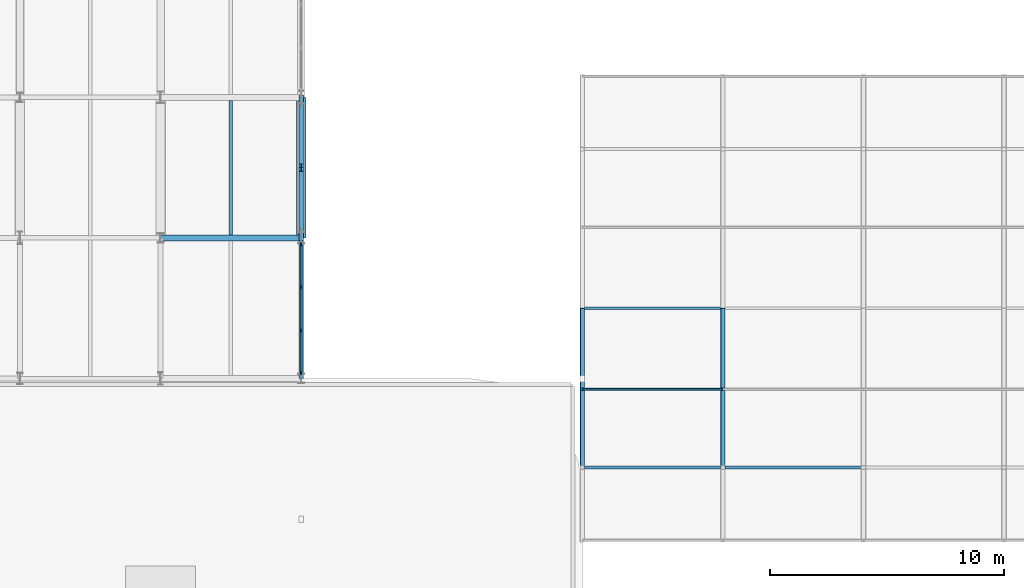
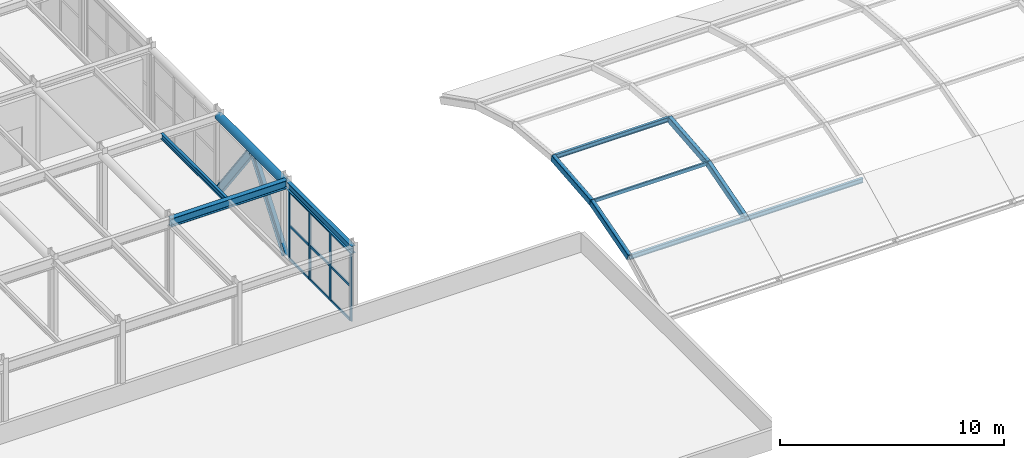
# One storey, part 23 of 84: 19 members, 8 beams, 1 element without a shape of its own.
"""IFC4 building model written with IfcOpenShell, lengths in metres."""

import ifcopenshell
import ifcopenshell.guid

model = None  # the IFC model being written
_history = None  # IfcOwnerHistory: only IFC2X3 demands one
_inside = {}  # id of a spatial element -> (the spatial element, [elements in it])
_under = {}  # id of a project, library or spatial element -> (it, [spatial elements below it])
_declared = {}  # id of a project -> (the project, [libraries it declares])
_typed = {}  # id of a type object -> (the type object, [elements of that type])
_made_of = {}  # id of a material, layer set ... -> (it, [elements and type objects made of it])


def new_model(schema):
    """Start an empty IFC model of exactly this schema.

    Asked for "IFC4X3", IfcOpenShell would pick the latest addendum, in which some entities
    have other attributes; the version numbers below select the first issue.
    IFC2X3 requires an IfcOwnerHistory on every rooted entity: one is made here for all.
    """
    global model, _history
    if schema == "IFC4X3":
        model = ifcopenshell.file(schema_version=(4, 3, 0, 0))
    else:
        model = ifcopenshell.file(schema=schema)
    _inside.clear()
    _under.clear()
    _declared.clear()
    _typed.clear()
    _made_of.clear()
    _history = None
    if model.schema == "IFC2X3":
        org = make("IfcOrganization", Name="unknown")
        user = make(
            "IfcPersonAndOrganization",
            ThePerson=make("IfcPerson", FamilyName="unknown"),
            TheOrganization=org,
        )
        app = make(
            "IfcApplication",
            ApplicationDeveloper=org,
            Version="unknown",
            ApplicationFullName="unknown",
            ApplicationIdentifier="unknown",
        )
        _history = make(
            "IfcOwnerHistory",
            OwningUser=user,
            OwningApplication=app,
            ChangeAction="ADDED",
            CreationDate=0,
        )
    return model


def make(cls, **values):
    """One entity of the class cls with the attributes given. An attribute that is None is left unset."""
    return model.create_entity(
        cls, **{name: value for name, value in values.items() if value is not None}
    )


def rooted(cls, **values):
    """An entity with a GlobalId (a new one), such as an element, a storey or a relation."""
    return make(cls, GlobalId=ifcopenshell.guid.new(), OwnerHistory=_history, **values)


def si_unit(unit_type, name, prefix=None):
    """IfcSIUnit, for example si_unit("LENGTHUNIT", "METRE", prefix="MILLI")."""
    return make("IfcSIUnit", UnitType=unit_type, Prefix=prefix, Name=name)


def assignment(units):
    """IfcUnitAssignment: the units of a project."""
    return None if units is None else make("IfcUnitAssignment", Units=units)


def point(xyz):
    """IfcCartesianPoint."""
    return None if xyz is None else make("IfcCartesianPoint", Coordinates=xyz)


def direction(xyz):
    """IfcDirection."""
    return None if xyz is None else make("IfcDirection", DirectionRatios=xyz)


def frame(location, z_axis=None, x_axis=None):
    """IfcAxis2Placement3D, a coordinate frame: its origin and axes. An axis left out is left unset."""
    return make(
        "IfcAxis2Placement3D",
        Location=point(location),
        Axis=direction(z_axis),
        RefDirection=direction(x_axis),
    )


def frame_2d(location, x_axis=None):
    """IfcAxis2Placement2D, a coordinate frame in the plane: its origin and x axis."""
    return make(
        "IfcAxis2Placement2D", Location=point(location), RefDirection=direction(x_axis)
    )


def origin():
    """The frame at (0, 0, 0) with its axes left unset."""
    return frame((0.0, 0.0, 0.0))


def origin_2d():
    """The frame at (0, 0) in the plane with its x axis left unset."""
    return frame_2d((0.0, 0.0))


def place(relative_to, where):
    """IfcLocalPlacement: puts the frame where relative to a parent placement (None: the world)."""
    return make(
        "IfcLocalPlacement", PlacementRelTo=relative_to, RelativePlacement=where
    )


def context(
    kind, dimensions, precision=None, world=None, true_north=None, identifier=None
):
    """IfcGeometricRepresentationContext, for example the 3D "Model" context."""
    return make(
        "IfcGeometricRepresentationContext",
        ContextIdentifier=identifier,
        ContextType=kind,
        CoordinateSpaceDimension=dimensions,
        Precision=precision,
        WorldCoordinateSystem=world,
        TrueNorth=true_north,
    )


def subcontext(parent, identifier, kind, view, scale=None):
    """IfcGeometricRepresentationSubContext, for example "Body" below "Model"."""
    return make(
        "IfcGeometricRepresentationSubContext",
        ContextIdentifier=identifier,
        ContextType=kind,
        ParentContext=parent,
        TargetScale=scale,
        TargetView=view,
    )


def project(units=None, contexts=None):
    """IfcProject with its units and contexts."""
    return rooted(
        "IfcProject",
        Name="project",
        RepresentationContexts=contexts,
        UnitsInContext=assignment(units),
    )


def spatial(cls, under=None, at=None, **own):
    """A site, building, storey or space (cls), placed at a placement, below another one or the project."""
    s = rooted(cls, ObjectPlacement=at, **own)
    if under is not None:
        _under.setdefault(under.id(), (under, []))[1].append(s)
    return s


def profile(cls, at=None, kind="AREA", **sizes):
    """A parametric profile (cls). Its sizes go by their IFC names, for example OverallWidth=200.0."""
    return make(cls, ProfileType=kind, Position=at, **sizes)


def rectangle(**sizes):
    """IfcRectangleProfileDef."""
    return profile("IfcRectangleProfileDef", **sizes)


def hollow_rectangle(**sizes):
    """IfcRectangleHollowProfileDef."""
    return profile("IfcRectangleHollowProfileDef", **sizes)


def hollow_circle(**sizes):
    """IfcCircleHollowProfileDef."""
    return profile("IfcCircleHollowProfileDef", **sizes)


def i_section(**sizes):
    """IfcIShapeProfileDef."""
    return profile("IfcIShapeProfileDef", **sizes)


def extrude(swept, where, along, depth):
    """IfcExtrudedAreaSolid: the profile swept, set in the frame where, extruded along a direction by depth."""
    return make(
        "IfcExtrudedAreaSolid",
        SweptArea=swept,
        Position=where,
        ExtrudedDirection=direction(along),
        Depth=depth,
    )


def shape(context_of_items, identifier, shape_type, items):
    """IfcShapeRepresentation: the items that make up one representation, for example the "Body"."""
    return make(
        "IfcShapeRepresentation",
        ContextOfItems=context_of_items,
        RepresentationIdentifier=identifier,
        RepresentationType=shape_type,
        Items=items,
    )


def material(Name=None, Category=None):
    """IfcMaterial."""
    return make("IfcMaterial", Name=Name, Category=Category)


def material_profile(
    of_material, cross_section, Name=None, Category=None, Priority=None
):
    """IfcMaterialProfile: a cross section and its material."""
    return make(
        "IfcMaterialProfile",
        Name=Name,
        Material=of_material,
        Profile=cross_section,
        Priority=Priority,
        Category=Category,
    )


def profile_set(profiles, Name=None, composite=None):
    """IfcMaterialProfileSet."""
    return make(
        "IfcMaterialProfileSet",
        Name=Name,
        MaterialProfiles=profiles,
        CompositeProfile=composite,
    )


def made_of(thing, what):
    """Note that an element or type object is made of a material, layer set ...; save() writes the relation."""
    if what is not None:
        _made_of.setdefault(what.id(), (what, []))[1].append(thing)
    return thing


def type_object(cls, material=None, **own):
    """A type object (cls), such as IfcWallType, which elements share."""
    return made_of(rooted(cls, **own), material)


def element(
    cls,
    number,
    at=None,
    inside=None,
    cuts=None,
    type_object=None,
    material=None,
    context=None,
    identifier="Body",
    shape_type=None,
    held_by="IfcProductDefinitionShape",
    body=None,
    shapes=None,
    **own,
):
    """One element of the class cls, such as IfcWall. Its Tag is "e" and its number.

    at: its placement. inside: the storey or other place that contains it. cuts: it is an
    opening in that element (IfcRelVoidsElement). A single representation is given by context,
    identifier, shape_type and body (its items); several are given by shapes. held_by: the class
    of the entity that holds the representations. save() writes the other relations.
    """
    e = rooted(cls, Tag="e%d" % number, ObjectPlacement=at, **own)
    if body is not None:
        shapes = [shape(context, identifier, shape_type, body)]
    if shapes is not None:
        e.Representation = make(held_by, Representations=shapes)
    if inside is not None:
        _inside.setdefault(inside.id(), (inside, []))[1].append(e)
    if cuts is not None:
        rooted(
            "IfcRelVoidsElement", RelatingBuildingElement=cuts, RelatedOpeningElement=e
        )
    if type_object is not None:
        _typed.setdefault(type_object.id(), (type_object, []))[1].append(e)
    return made_of(e, material)


def aggregate(whole, parts):
    """IfcRelAggregates: a whole, such as a stair, and the parts it consists of."""
    return rooted("IfcRelAggregates", RelatingObject=whole, RelatedObjects=parts)


def save(model, path):
    """Write the relations noted so far, then the file.

    IfcRelAggregates (storeys below a building ...), IfcRelContainedInSpatialStructure (elements
    in a storey), IfcRelDefinesByType, IfcRelAssociatesMaterial and IfcRelDeclares: one each for
    every whole, place, type object, material and project.
    """
    for whole, parts in _under.values():
        aggregate(whole, parts)
    for where, things in _inside.values():
        rooted(
            "IfcRelContainedInSpatialStructure",
            RelatedElements=things,
            RelatingStructure=where,
        )
    for kind, things in _typed.values():
        rooted("IfcRelDefinesByType", RelatedObjects=things, RelatingType=kind)
    for what, things in _made_of.values():
        rooted("IfcRelAssociatesMaterial", RelatedObjects=things, RelatingMaterial=what)
    for by, libraries in _declared.values():
        rooted("IfcRelDeclares", RelatingContext=by, RelatedDefinitions=libraries)
    model.write(path)


model = new_model("IFC4")

# Units and contexts
model_context = context("Model", 3, precision=1e-05, world=origin(), true_north=direction((0.0, 1.0)))
body_context = subcontext(model_context, "Body", "Model", "MODEL_VIEW")
ifc_project = project(units=[si_unit("LENGTHUNIT", "METRE"), si_unit("AREAUNIT", "SQUARE_METRE"), si_unit("VOLUMEUNIT", "CUBIC_METRE"), si_unit("PLANEANGLEUNIT", "RADIAN"), si_unit("MASSUNIT", "GRAM", prefix="KILO")], contexts=[model_context])

# Site, building, storey
site_placement = place(None, origin())
site = spatial("IfcSite", under=ifc_project, at=site_placement, CompositionType="ELEMENT")
building_placement = place(site_placement, origin())
building = spatial("IfcBuilding", under=site, at=building_placement, Name="Varnakota Square Police Headquarters", CompositionType="ELEMENT")
storey_placement = place(building_placement, frame((0.0, 0.0, 13.5)))
storey = spatial("IfcBuildingStorey", under=building, at=storey_placement, Name="L03", CompositionType="ELEMENT", Elevation=13.5)

# Beams
ifc_material_1 = material(Name="Steel IS 2062 Grade 350", Category="steel")
ifc_material_profile_1 = material_profile(ifc_material_1, hollow_circle(Radius=0.203125, WallThickness=0.01611328125, at=origin_2d()), Name="CHS 406.4x16.0")
ifc_profile_set_1 = profile_set([ifc_material_profile_1], Name="Steel IS 2062 Grade 350")
beam_type_1 = type_object("IfcBeamType", Name="BM-ARC-CHS406", PredefinedType="BEAM", material=ifc_profile_set_1)
beam_1_placement = place(storey_placement, frame((42.0, 27.0, 3.996826171875), z_axis=(0.0, 1.0, 0.0), x_axis=(-1.0, 0.0, 0.0)))
element("IfcBeam", 1, at=beam_1_placement, inside=storey, type_object=beam_type_1, Name="BMG-L03-2654", PredefinedType="BEAM", context=body_context, shape_type="SweptSolid", body=[
    extrude(hollow_circle(Radius=0.203125, WallThickness=0.01611328125, at=origin_2d()), origin(), (0.0, 0.0, 1.0), 6.0),
])
ifc_material_profile_2 = material_profile(ifc_material_1, i_section(OverallWidth=0.25, OverallDepth=0.449951171875, WebThickness=0.01123046875, FlangeThickness=0.013671875, FilletRadius=0.014892578125, at=origin_2d()), Name="ISHB 450")
ifc_profile_set_2 = profile_set([ifc_material_profile_2], Name="Steel IS 2062 Grade 350")
beam_type_2 = type_object("IfcBeamType", Name="BM-ISHB450", PredefinedType="BEAM", material=ifc_profile_set_2)
beam_2_placement = place(storey_placement, frame((36.0, 27.0, 3.97509765625), z_axis=(1.0, 0.0, 0.0), x_axis=(0.0, 1.0, 0.0)))
element("IfcBeam", 2, at=beam_2_placement, inside=storey, type_object=beam_type_2, Name="BMG-L03-2460", PredefinedType="BEAM", context=body_context, shape_type="SweptSolid", body=[
    extrude(i_section(OverallWidth=0.25, OverallDepth=0.449951171875, WebThickness=0.01123046875, FlangeThickness=0.013671875, FilletRadius=0.014892578125, at=origin_2d()), origin(), (0.0, 0.0, 1.0), 6.0),
])
ifc_material_profile_3 = material_profile(ifc_material_1, i_section(OverallWidth=0.139892578125, OverallDepth=0.300048828125, WebThickness=0.0078125, FlangeThickness=0.01318359375, FilletRadius=0.013916015625, at=origin_2d()), Name="ISMB 300")
ifc_profile_set_3 = profile_set([ifc_material_profile_3], Name="Steel IS 2062 Grade 350")
beam_type_3 = type_object("IfcBeamType", Name="BM-ISMB300", PredefinedType="JOIST", material=ifc_profile_set_3)
beam_3_placement = place(storey_placement, frame((39.0, 27.123046875, 4.050048828125), z_axis=(0.0, 1.0, 0.0), x_axis=(-1.0, 0.0, 0.0)))
element("IfcBeam", 3, at=beam_3_placement, inside=storey, type_object=beam_type_3, Name="BMG-L03-2791", PredefinedType="JOIST", context=body_context, shape_type="SweptSolid", body=[
    extrude(i_section(OverallWidth=0.139892578125, OverallDepth=0.300048828125, WebThickness=0.0078125, FlangeThickness=0.01318359375, FilletRadius=0.013916015625, at=origin_2d()), origin(), (0.0, 0.0, 1.0), 5.75390625),
])
ifc_material_profile_4 = material_profile(ifc_material_1, i_section(OverallWidth=0.199951171875, OverallDepth=0.39990234375, WebThickness=0.008544921875, FlangeThickness=0.012939453125, FilletRadius=0.012939453125, at=origin_2d()), Name="ISWB 400")
ifc_profile_set_4 = profile_set([ifc_material_profile_4], Name="Steel IS 2062 Grade 350")
beam_type_4 = type_object("IfcBeamType", Name="BM-ISWB400", PredefinedType="BEAM", material=ifc_profile_set_4)
beam_4_placement = place(storey_placement, frame((42.0, 21.0, 4.0), z_axis=(0.0, 1.0, 0.0), x_axis=(-1.0, 0.0, 0.0)))
element("IfcBeam", 4, at=beam_4_placement, inside=storey, type_object=beam_type_4, Name="BMG-L03-2653", PredefinedType="BEAM", context=body_context, shape_type="SweptSolid", body=[
    extrude(i_section(OverallWidth=0.199951171875, OverallDepth=0.39990234375, WebThickness=0.008544921875, FlangeThickness=0.012939453125, FilletRadius=0.012939453125, at=origin_2d()), origin(), (0.0, 0.0, 1.0), 6.0),
])
ifc_material_profile_5 = material_profile(ifc_material_1, hollow_rectangle(XDim=0.199951171875, YDim=0.35009765625, WallThickness=0.011962890625, InnerFilletRadius=0.011962890625, OuterFilletRadius=0.02392578125, at=origin_2d()), Name="RHS 350x200x12")
ifc_profile_set_5 = profile_set([ifc_material_profile_5], Name="Steel IS 2062 Grade 350")
beam_type_5 = type_object("IfcBeamType", Name="BM-VR-RHS350", PredefinedType="BEAM", material=ifc_profile_set_5)
beam_5_placement = place(storey_placement, frame((54.0, 17.20361328125, 1.685302734375), z_axis=(0.0, 0.96071126913, 0.277549738544), x_axis=(-1.0, 0.0, 0.0)))
element("IfcBeam", 5, at=beam_5_placement, inside=storey, type_object=beam_type_5, Name="Barrel vault arch rib chord VR-V1-R01-S04", PredefinedType="BEAM", context=body_context, shape_type="SweptSolid", body=[
    extrude(hollow_rectangle(XDim=0.199951171875, YDim=0.35009765625, WallThickness=0.011962890625, InnerFilletRadius=0.011962890625, OuterFilletRadius=0.02392578125, at=origin_2d()), origin(), (0.0, 0.0, 1.0), 3.475341796875),
])
beam_6_placement = place(storey_placement, frame((54.0, 20.54248046875, 2.64990234375), z_axis=(0.0, 0.995573175043, 0.093989643767), x_axis=(-1.0, 0.0, 0.0)))
element("IfcBeam", 6, at=beam_6_placement, inside=storey, type_object=beam_type_5, Name="Barrel vault arch rib chord VR-V1-R01-S05", PredefinedType="BEAM", context=body_context, shape_type="SweptSolid", body=[
    extrude(hollow_rectangle(XDim=0.199951171875, YDim=0.35009765625, WallThickness=0.011962890625, InnerFilletRadius=0.011962890625, OuterFilletRadius=0.02392578125, at=origin_2d()), origin(), (0.0, 0.0, 1.0), 3.472900390625),
])
beam_7_placement = place(storey_placement, frame((60.0, 17.20361328125, 1.685302734375), z_axis=(0.0, 0.96071126913, 0.277549738544), x_axis=(-1.0, 0.0, 0.0)))
element("IfcBeam", 7, at=beam_7_placement, inside=storey, type_object=beam_type_5, Name="Barrel vault arch rib chord VR-V1-R02-S04", PredefinedType="BEAM", context=body_context, shape_type="SweptSolid", body=[
    extrude(hollow_rectangle(XDim=0.199951171875, YDim=0.35009765625, WallThickness=0.011962890625, InnerFilletRadius=0.011962890625, OuterFilletRadius=0.02392578125, at=origin_2d()), origin(), (0.0, 0.0, 1.0), 3.475341796875),
])
beam_8_placement = place(storey_placement, frame((60.0, 20.54248046875, 2.64990234375), z_axis=(0.0, 0.995573175043, 0.093989643767), x_axis=(-1.0, 0.0, 0.0)))
element("IfcBeam", 8, at=beam_8_placement, inside=storey, type_object=beam_type_5, Name="Barrel vault arch rib chord VR-V1-R02-S05", PredefinedType="BEAM", context=body_context, shape_type="SweptSolid", body=[
    extrude(hollow_rectangle(XDim=0.199951171875, YDim=0.35009765625, WallThickness=0.011962890625, InnerFilletRadius=0.011962890625, OuterFilletRadius=0.02392578125, at=origin_2d()), origin(), (0.0, 0.0, 1.0), 3.472900390625),
])

# Curtain wall, members
ifc_material_2 = material(Name="Anodised Aluminium Framing", Category="aluminium")
curtain_wall_type = type_object("IfcCurtainWallType", Name="CW-SYS-D", PredefinedType="NOTDEFINED", material=ifc_material_2)
curtain_wall_placement = place(storey_placement, origin())
curtain_wall = element("IfcCurtainWall", 9, at=curtain_wall_placement, inside=storey, type_object=curtain_wall_type, Name="Unitised curtain wall CWG-L03-167", PredefinedType="NOTDEFINED")
ifc_material_3 = material(Name="Anodised Aluminium 6063-T6", Category="aluminium")
ifc_material_profile_6 = material_profile(ifc_material_3, rectangle(XDim=0.06494140625, YDim=0.159912109375, at=origin_2d()), Name="ALU MULLION 65x160")
ifc_profile_set_6 = profile_set([ifc_material_profile_6], Name="Anodised Aluminium 6063-T6")
member_type_1 = type_object("IfcMemberType", Name="CWM-150", PredefinedType="MULLION", material=ifc_profile_set_6)
member_1_placement = place(storey_placement, frame((42.0, 21.237548828125, 0.0), z_axis=(0.0, 0.0, 1.0), x_axis=(-1.0, 0.0, 0.0)))
member_1 = element("IfcMember", 10, at=member_1_placement, type_object=member_type_1, Name="CWG-L03-167 mullion 1", PredefinedType="MULLION", context=body_context, shape_type="SweptSolid", body=[
    extrude(rectangle(XDim=0.06494140625, YDim=0.159912109375, at=origin_2d()), origin(), (0.0, 0.0, 1.0), 3.739990234375),
])
member_2_placement = place(storey_placement, frame((42.0, 23.0517578125, 0.0), z_axis=(0.0, 0.0, 1.0), x_axis=(-1.0, 0.0, 0.0)))
member_2 = element("IfcMember", 11, at=member_2_placement, type_object=member_type_1, Name="CWG-L03-167 mullion 2", PredefinedType="MULLION", context=body_context, shape_type="SweptSolid", body=[
    extrude(rectangle(XDim=0.06494140625, YDim=0.159912109375, at=origin_2d()), origin(), (0.0, 0.0, 1.0), 3.739990234375),
])
member_3_placement = place(storey_placement, frame((42.0, 24.8984375, 0.0), z_axis=(0.0, 0.0, 1.0), x_axis=(-1.0, 0.0, 0.0)))
member_3 = element("IfcMember", 12, at=member_3_placement, type_object=member_type_1, Name="CWG-L03-167 mullion 3", PredefinedType="MULLION", context=body_context, shape_type="SweptSolid", body=[
    extrude(rectangle(XDim=0.06494140625, YDim=0.159912109375, at=origin_2d()), origin(), (0.0, 0.0, 1.0), 3.739990234375),
])
member_4_placement = place(storey_placement, frame((42.0, 26.71240234375, 0.0), z_axis=(0.0, 0.0, 1.0), x_axis=(-1.0, 0.0, 0.0)))
member_4 = element("IfcMember", 13, at=member_4_placement, type_object=member_type_1, Name="CWG-L03-167 mullion 4", PredefinedType="MULLION", context=body_context, shape_type="SweptSolid", body=[
    extrude(rectangle(XDim=0.06494140625, YDim=0.159912109375, at=origin_2d()), origin(), (0.0, 0.0, 1.0), 3.739990234375),
])
ifc_material_profile_7 = material_profile(ifc_material_3, rectangle(XDim=0.06494140625, YDim=0.1298828125, at=origin_2d()), Name="ALU TRANSOM 65x130")
ifc_profile_set_7 = profile_set([ifc_material_profile_7], Name="Anodised Aluminium 6063-T6")
member_type_2 = type_object("IfcMemberType", Name="CWT-120", PredefinedType="USERDEFINED", material=ifc_profile_set_7)
member_5_placement = place(storey_placement, frame((42.0, 21.27001953125, 0.032470703125), z_axis=(0.0, 1.0, 0.0), x_axis=(-1.0, 0.0, 0.0)))
member_5 = element("IfcMember", 14, at=member_5_placement, type_object=member_type_2, Name="CWG-L03-167 transom 1.1", ObjectType="TRANSOM", PredefinedType="USERDEFINED", context=body_context, shape_type="SweptSolid", body=[
    extrude(rectangle(XDim=0.06494140625, YDim=0.1298828125, at=origin_2d()), origin(), (0.0, 0.0, 1.0), 1.749267578125),
])
member_6_placement = place(storey_placement, frame((42.0, 21.27001953125, 1.8701171875), z_axis=(0.0, 1.0, 0.0), x_axis=(-1.0, 0.0, 0.0)))
member_6 = element("IfcMember", 15, at=member_6_placement, type_object=member_type_2, Name="CWG-L03-167 transom 1.2", ObjectType="TRANSOM", PredefinedType="USERDEFINED", context=body_context, shape_type="SweptSolid", body=[
    extrude(rectangle(XDim=0.06494140625, YDim=0.1298828125, at=origin_2d()), origin(), (0.0, 0.0, 1.0), 1.749267578125),
])
member_7_placement = place(storey_placement, frame((42.0, 21.27001953125, 3.70751953125), z_axis=(0.0, 1.0, 0.0), x_axis=(-1.0, 0.0, 0.0)))
member_7 = element("IfcMember", 16, at=member_7_placement, type_object=member_type_2, Name="CWG-L03-167 transom 1.3", ObjectType="TRANSOM", PredefinedType="USERDEFINED", context=body_context, shape_type="SweptSolid", body=[
    extrude(rectangle(XDim=0.06494140625, YDim=0.1298828125, at=origin_2d()), origin(), (0.0, 0.0, 1.0), 1.749267578125),
])
member_8_placement = place(storey_placement, frame((42.0, 23.084228515625, 0.032470703125), z_axis=(0.0, 1.0, 0.0), x_axis=(-1.0, 0.0, 0.0)))
member_8 = element("IfcMember", 17, at=member_8_placement, type_object=member_type_2, Name="CWG-L03-167 transom 2.1", ObjectType="TRANSOM", PredefinedType="USERDEFINED", context=body_context, shape_type="SweptSolid", body=[
    extrude(rectangle(XDim=0.06494140625, YDim=0.1298828125, at=origin_2d()), origin(), (0.0, 0.0, 1.0), 1.781494140625),
])
member_9_placement = place(storey_placement, frame((42.0, 23.084228515625, 1.8701171875), z_axis=(0.0, 1.0, 0.0), x_axis=(-1.0, 0.0, 0.0)))
member_9 = element("IfcMember", 18, at=member_9_placement, type_object=member_type_2, Name="CWG-L03-167 transom 2.2", ObjectType="TRANSOM", PredefinedType="USERDEFINED", context=body_context, shape_type="SweptSolid", body=[
    extrude(rectangle(XDim=0.06494140625, YDim=0.1298828125, at=origin_2d()), origin(), (0.0, 0.0, 1.0), 1.781494140625),
])
member_10_placement = place(storey_placement, frame((42.0, 23.084228515625, 3.70751953125), z_axis=(0.0, 1.0, 0.0), x_axis=(-1.0, 0.0, 0.0)))
member_10 = element("IfcMember", 19, at=member_10_placement, type_object=member_type_2, Name="CWG-L03-167 transom 2.3", ObjectType="TRANSOM", PredefinedType="USERDEFINED", context=body_context, shape_type="SweptSolid", body=[
    extrude(rectangle(XDim=0.06494140625, YDim=0.1298828125, at=origin_2d()), origin(), (0.0, 0.0, 1.0), 1.781494140625),
])
member_11_placement = place(storey_placement, frame((42.0, 24.930908203125, 0.032470703125), z_axis=(0.0, 1.0, 0.0), x_axis=(-1.0, 0.0, 0.0)))
member_11 = element("IfcMember", 20, at=member_11_placement, type_object=member_type_2, Name="CWG-L03-167 transom 3.1", ObjectType="TRANSOM", PredefinedType="USERDEFINED", context=body_context, shape_type="SweptSolid", body=[
    extrude(rectangle(XDim=0.06494140625, YDim=0.1298828125, at=origin_2d()), origin(), (0.0, 0.0, 1.0), 1.7490234375),
])
member_12_placement = place(storey_placement, frame((42.0, 24.930908203125, 1.8701171875), z_axis=(0.0, 1.0, 0.0), x_axis=(-1.0, 0.0, 0.0)))
member_12 = element("IfcMember", 21, at=member_12_placement, type_object=member_type_2, Name="CWG-L03-167 transom 3.2", ObjectType="TRANSOM", PredefinedType="USERDEFINED", context=body_context, shape_type="SweptSolid", body=[
    extrude(rectangle(XDim=0.06494140625, YDim=0.1298828125, at=origin_2d()), origin(), (0.0, 0.0, 1.0), 1.7490234375),
])
member_13_placement = place(storey_placement, frame((42.0, 24.930908203125, 3.70751953125), z_axis=(0.0, 1.0, 0.0), x_axis=(-1.0, 0.0, 0.0)))
member_13 = element("IfcMember", 22, at=member_13_placement, type_object=member_type_2, Name="CWG-L03-167 transom 3.3", ObjectType="TRANSOM", PredefinedType="USERDEFINED", context=body_context, shape_type="SweptSolid", body=[
    extrude(rectangle(XDim=0.06494140625, YDim=0.1298828125, at=origin_2d()), origin(), (0.0, 0.0, 1.0), 1.7490234375),
])
aggregate(curtain_wall, [member_1, member_2, member_3, member_4, member_5, member_6, member_7, member_8, member_9, member_10, member_11, member_12, member_13])

# Members
ifc_material_profile_8 = material_profile(ifc_material_1, i_section(OverallWidth=0.199951171875, OverallDepth=0.39990234375, WebThickness=0.008544921875, FlangeThickness=0.012939453125, FilletRadius=0.012939453125, at=origin_2d()), Name="ISWB 400")
ifc_profile_set_8 = profile_set([ifc_material_profile_8], Name="Steel IS 2062 Grade 350")
member_type_3 = type_object("IfcMemberType", Name="MEM-BR-ISWB400", PredefinedType="BRACE", material=ifc_profile_set_8)
for number, where, z_axis, x_axis, name in (
    (23, (42.0, 27.050048828125, 0.02001953125), (0.0, 0.600325874044, 0.79975549073), (-1.0, 0.0, 0.0), "Lateral brace BF3 L03 left"),
    (24, (42.0, 32.949951171875, 0.02001953125), (0.0, -0.600325874044, 0.79975549073), (1.0, 0.0, 0.0), "Lateral brace BF3 L03 right"),
):
    element("IfcMember", number, at=place(storey_placement, frame(where, z_axis=z_axis, x_axis=x_axis)), inside=storey, type_object=member_type_3, Name=name, PredefinedType="BRACE", context=body_context, shape_type="SweptSolid", body=[
        extrude(i_section(OverallWidth=0.199951171875, OverallDepth=0.39990234375, WebThickness=0.008544921875, FlangeThickness=0.012939453125, FilletRadius=0.012939453125, at=origin_2d()), origin(), (0.0, 0.0, 1.0), 4.913818359375),
    ])
ifc_material_profile_9 = material_profile(ifc_material_1, i_section(OverallWidth=0.125, OverallDepth=0.25, WebThickness=0.0068359375, FlangeThickness=0.012451171875, FilletRadius=0.012939453125, at=origin_2d()), Name="ISMB 250")
ifc_profile_set_9 = profile_set([ifc_material_profile_9], Name="Steel IS 2062 Grade 350")
member_type_4 = type_object("IfcMemberType", Name="MEM-PUR-ISMB250", PredefinedType="PURLIN", material=ifc_profile_set_9)
for number, where, z_axis, x_axis, name in (
    (25, (54.0, 17.20361328125, 1.697998046875), (1.0, 0.0, 0.0), (0.0, 1.0, 0.0), "Vault roof purlin V1-B01-N03"),
    (26, (54.0, 24.0, 3.0146484375), (1.0, 0.0, 0.0), (0.0, 1.0, 0.0), "Vault roof purlin V1-B01-N05"),
    (27, (60.0, 17.20361328125, 1.697998046875), (1.0, 0.0, 0.0), (0.0, 1.0, 0.0), "Vault roof purlin V1-B02-N03"),
):
    element("IfcMember", number, at=place(storey_placement, frame(where, z_axis=z_axis, x_axis=x_axis)), inside=storey, type_object=member_type_4, Name=name, PredefinedType="PURLIN", context=body_context, shape_type="SweptSolid", body=[
        extrude(i_section(OverallWidth=0.125, OverallDepth=0.25, WebThickness=0.0068359375, FlangeThickness=0.012451171875, FilletRadius=0.012939453125, at=origin_2d()), origin(), (0.0, 0.0, 1.0), 6.0),
    ])
ifc_material_profile_10 = material_profile(ifc_material_1, hollow_rectangle(XDim=0.10009765625, YDim=0.199951171875, WallThickness=0.008056640625, InnerFilletRadius=0.008056640625, OuterFilletRadius=0.01611328125, at=origin_2d()), Name="RHS 200x100x8")
ifc_profile_set_10 = profile_set([ifc_material_profile_10], Name="Steel IS 2062 Grade 350")
member_type_5 = type_object("IfcMemberType", Name="MEM-PUR-RHS200", PredefinedType="PURLIN", material=ifc_profile_set_10)
member_14_placement = place(storey_placement, frame((54.0, 20.54248046875, 2.70458984375), z_axis=(1.0, 0.0, 0.0), x_axis=(0.0, 1.0, 0.0)))
element("IfcMember", 28, at=member_14_placement, inside=storey, type_object=member_type_5, Name="Vault roof purlin V1-B01-N04", PredefinedType="PURLIN", context=body_context, shape_type="SweptSolid", body=[
    extrude(hollow_rectangle(XDim=0.10009765625, YDim=0.199951171875, WallThickness=0.008056640625, InnerFilletRadius=0.008056640625, OuterFilletRadius=0.01611328125, at=origin_2d()), origin(), (0.0, 0.0, 1.0), 6.0),
])

save(model, "model.ifc")
